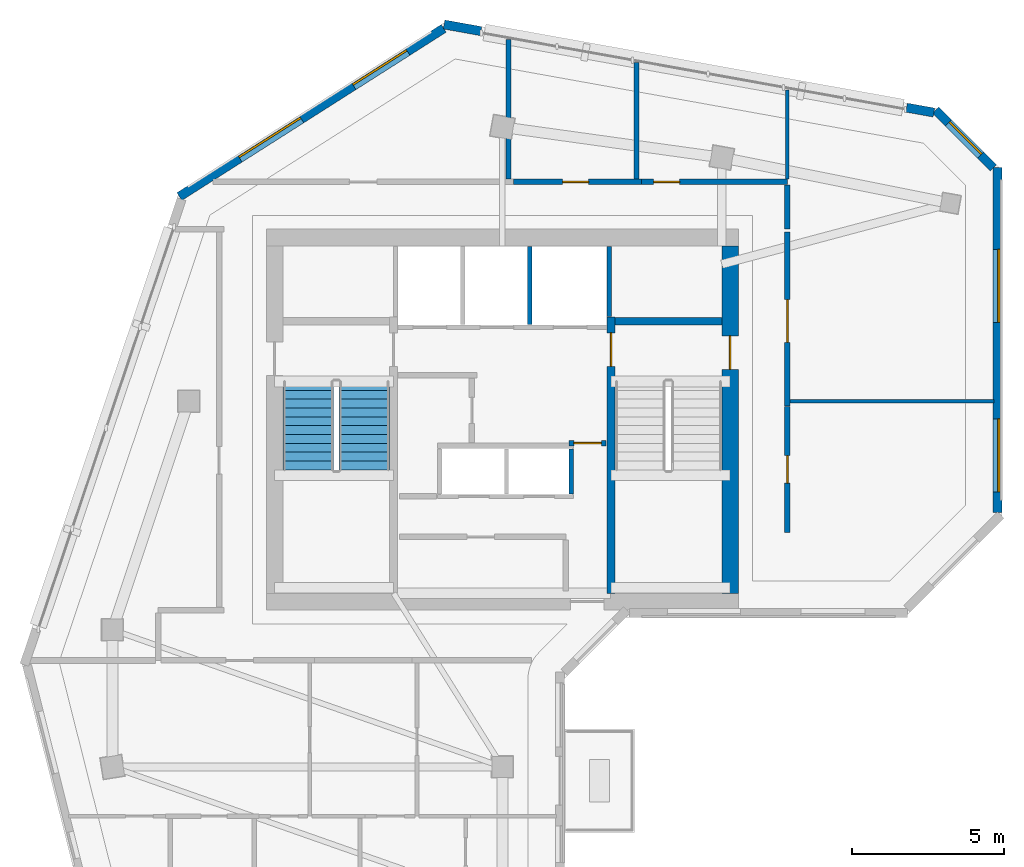
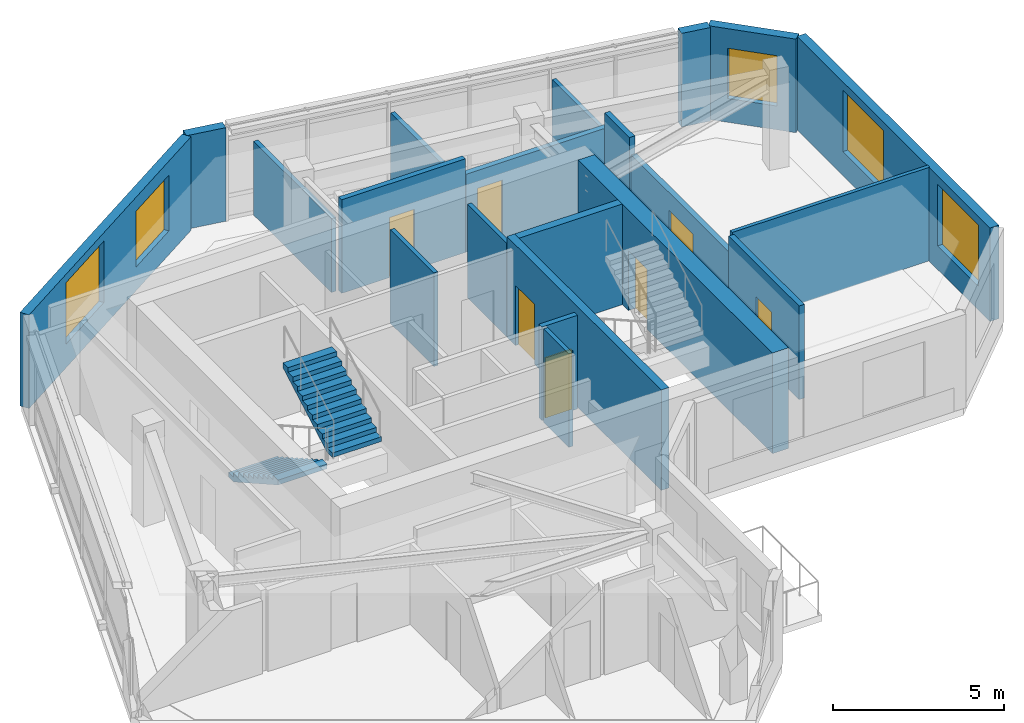
# One storey, part 5 of 8: 21 walls, 7 doors, 5 windows, 2 stair flights, 12 openings, 1 element without a shape of its own.
"""IFC4 building model written with IfcOpenShell, lengths in metres."""

from ifc_helpers import new_model, si_unit, direction, frame, frame_2d, origin, place, context, subcontext, project, spatial, polyline, rectangle, outline, extrude, source, transform, mapped, material, layer, layer_set, type_object, element, fill, aggregate, save


model = new_model("IFC4")

# Units and contexts
model_context = context("Model", 3, precision=1e-05, world=origin(), true_north=direction((0.0, 1.0)))
body_context = subcontext(model_context, "Body", "Model", "MODEL_VIEW")
ifc_project = project(units=[si_unit("LENGTHUNIT", "METRE"), si_unit("AREAUNIT", "SQUARE_METRE"), si_unit("VOLUMEUNIT", "CUBIC_METRE"), si_unit("PLANEANGLEUNIT", "RADIAN"), si_unit("MASSUNIT", "GRAM", prefix="KILO")], contexts=[model_context])

# Site, building, storey
site_placement = place(None, origin())
site = spatial("IfcSite", under=ifc_project, at=site_placement, CompositionType="ELEMENT")
building_placement = place(site_placement, origin())
building = spatial("IfcBuilding", under=site, at=building_placement, Name="Calvemar Wedge Station Tower", CompositionType="ELEMENT")
storey_placement = place(building_placement, frame((0.0, 0.0, 281.699951171875)))
storey = spatial("IfcBuildingStorey", under=building, at=storey_placement, Name="L72", CompositionType="ELEMENT", Elevation=281.699951171875)

# Wall, opening, door
ifc_material_1 = material(Name="Concrete C50", Category="concrete")
ifc_layer_1 = layer(ifc_material_1, 0.260009765625)
ifc_layer_set_1 = layer_set([ifc_layer_1], Name="Concrete C50")
wall_type_1 = type_object("IfcWallType", Name="SW-CORE-260", PredefinedType="SHEAR", material=ifc_layer_set_1)
wall_1_placement = place(storey_placement, frame((27.3701171875, 34.199951171875, 0.0), z_axis=(0.0, 0.0, 1.0), x_axis=(0.0, 1.0, 0.0)))
wall_1 = element("IfcWall", 1, at=wall_1_placement, inside=storey, type_object=wall_type_1, Name="Storey L72 Core Shear Wall SPINE-E", PredefinedType="SHEAR", context=body_context, shape_type="SweptSolid", body=[
    extrude(rectangle(XDim=9.06005859375, YDim=0.260009765625, at=frame_2d((4.530029296875, 0.0))), origin(), (0.0, 0.0, 1.0), 3.60009765625),
])
shared_shape_1 = source(origin(), body_context, "Body", "SweptSolid", [
    extrude(rectangle(XDim=1.10009765625, YDim=2.14990234375, at=frame_2d((0.550048828125, 1.074951171875))), frame((0.0, 0.14013671875, 0.0), z_axis=(0.0, -1.0, 0.0), x_axis=(1.0, 0.0, 0.0)), (0.0, 0.0, 1.0), 0.280029296875),
])
opening_1_placement = place(wall_1_placement, frame((7.449951171875, 0.0, 0.0)))
opening_1 = element("IfcOpeningElement", 2, at=opening_1_placement, cuts=wall_1, Name="Opening FD-90", PredefinedType="OPENING", context=body_context, shape_type="MappedRepresentation", body=[
    mapped(shared_shape_1, transform((0.0, 0.0, 0.0), scale=1.0)),
])
ifc_material_2 = material(Name="Galvanized fire-rated steel door leaf P-90", Category="steel")
door_type_1 = type_object("IfcDoorType", Name="DR-FD90-1100", OperationType="NOTDEFINED", PredefinedType="DOOR", material=ifc_material_2)
shared_shape_2 = source(origin(), body_context, "Body", "SweptSolid", [
    extrude(rectangle(XDim=1.10009765625, YDim=2.14990234375, at=frame_2d((0.550048828125, 1.074951171875))), frame((0.0, 0.02490234375, 0.0), z_axis=(0.0, -1.0, 0.0), x_axis=(1.0, 0.0, 0.0)), (0.0, 0.0, 1.0), 0.050048828125),
])
door_1_placement = place(opening_1_placement, origin())
door_1 = element("IfcDoor", 3, at=door_1_placement, inside=storey, type_object=door_type_1, Name="L72 FF Lobby to Stair ST-C2 Door", OperationType="SINGLE_SWING_LEFT", OverallHeight=2.14990234375, OverallWidth=1.10009765625, PredefinedType="DOOR", context=body_context, shape_type="MappedRepresentation", body=[
    mapped(shared_shape_2, transform((0.0, 0.0, 0.0), scale=1.0)),
])
fill(opening_1, door_1)

# Wall
wall_2_placement = place(storey_placement, frame((27.5, 43.1298828125, 0.0), z_axis=(0.0, 0.0, 1.0), x_axis=(1.0, 0.0, 0.0)))
element("IfcWall", 4, at=wall_2_placement, inside=storey, type_object=wall_type_1, Name="Storey L72 Core Shear Wall STC2-N", PredefinedType="SHEAR", context=body_context, shape_type="SweptSolid", body=[
    extrude(rectangle(XDim=3.5, YDim=0.260009765625, at=frame_2d((1.75, 0.0))), origin(), (0.0, 0.0, 1.0), 3.60009765625),
])

# Wall, opening, door
ifc_material_3 = material(Name="Concrete C60", Category="concrete")
ifc_layer_2 = layer(ifc_material_3, 0.550048828125)
ifc_layer_set_2 = layer_set([ifc_layer_2], Name="Concrete C60")
wall_type_2 = type_object("IfcWallType", Name="SW-CORE-550", PredefinedType="SHEAR", material=ifc_layer_set_2)
wall_3_placement = place(storey_placement, frame((31.27490234375, 34.199951171875, 0.0), z_axis=(0.0, 0.0, 1.0), x_axis=(0.0, 1.0, 0.0)))
wall_3 = element("IfcWall", 5, at=wall_3_placement, inside=storey, type_object=wall_type_2, Name="Storey L72 Core Shear Wall E", PredefinedType="SHEAR", context=body_context, shape_type="SweptSolid", body=[
    extrude(rectangle(XDim=11.400146484375, YDim=0.550048828125, at=frame_2d((5.7001953125, 0.0))), origin(), (0.0, 0.0, 1.0), 3.60009765625),
])
shared_shape_3 = source(origin(), body_context, "Body", "SweptSolid", [
    extrude(rectangle(XDim=1.10009765625, YDim=2.14990234375, at=frame_2d((0.550048828125, 1.074951171875))), frame((0.0, 0.28515625, 0.0), z_axis=(0.0, -1.0, 0.0), x_axis=(1.0, 0.0, 0.0)), (0.0, 0.0, 1.0), 0.570068359375),
])
opening_2_placement = place(wall_3_placement, frame((7.35009765625, 0.0, 0.0)))
opening_2 = element("IfcOpeningElement", 6, at=opening_2_placement, cuts=wall_3, Name="Opening FD-90", PredefinedType="OPENING", context=body_context, shape_type="MappedRepresentation", body=[
    mapped(shared_shape_3, transform((0.0, 0.0, 0.0), scale=1.0)),
])
door_2_placement = place(opening_2_placement, origin())
door_2 = element("IfcDoor", 7, at=door_2_placement, inside=storey, type_object=door_type_1, Name="L72 East Corridor to Exit Stair ST-C2 Door", OperationType="SINGLE_SWING_LEFT", OverallHeight=2.14990234375, OverallWidth=1.10009765625, PredefinedType="DOOR", context=body_context, shape_type="MappedRepresentation", body=[
    mapped(shared_shape_2, transform((0.0, 0.0, 0.0), scale=1.0)),
])
fill(opening_2, door_2)

ifc_material_4 = material(Name="Double-stud fire-rated corridor partition")
ifc_layer_3 = layer(ifc_material_4, 0.179931640625)
ifc_layer_set_3 = layer_set([ifc_layer_3], Name="Double-stud fire-rated corridor partition")
wall_type_3 = type_object("IfcWallType", Name="W-CORR-180", PredefinedType="PARTITIONING", material=ifc_layer_set_3)
wall_4_placement = place(storey_placement, frame((27.199951171875, 39.1298828125, 0.0), z_axis=(0.0, 0.0, 1.0), x_axis=(-1.0, 0.0, 0.0)))
wall_4 = element("IfcWall", 8, at=wall_4_placement, inside=storey, type_object=wall_type_3, Name="Storey L72 Interior Partition WL-L72-004", PredefinedType="PARTITIONING", context=body_context, shape_type="SweptSolid", body=[
    extrude(rectangle(XDim=1.2099609375, YDim=0.179931640625, at=frame_2d((0.60498046875, 0.0))), origin(), (0.0, 0.0, 1.0), 3.35009765625),
])
shared_shape_4 = source(origin(), body_context, "Body", "SweptSolid", [
    extrude(rectangle(XDim=0.89990234375, YDim=2.14990234375, at=frame_2d((0.449951171875, 1.074951171875))), frame((0.0, 0.10009765625, 0.0), z_axis=(0.0, -1.0, 0.0), x_axis=(1.0, 0.0, 0.0)), (0.0, 0.0, 1.0), 0.199951171875),
])
opening_3_placement = place(wall_4_placement, frame((0.155029296875, 0.0, 0.0)))
opening_3 = element("IfcOpeningElement", 9, at=opening_3_placement, cuts=wall_4, Name="Opening FD-60", PredefinedType="OPENING", context=body_context, shape_type="MappedRepresentation", body=[
    mapped(shared_shape_4, transform((0.0, 0.0, 0.0), scale=1.0)),
])
ifc_material_5 = material(Name="Fire-rated acoustic timber-core entrance door EI 60", Category="wood")
door_type_2 = type_object("IfcDoorType", Name="DR-FD60-900", OperationType="NOTDEFINED", PredefinedType="DOOR", material=ifc_material_5)
shared_shape_5 = source(origin(), body_context, "Body", "SweptSolid", [
    extrude(rectangle(XDim=0.89990234375, YDim=2.14990234375, at=frame_2d((0.449951171875, 1.074951171875))), frame((0.0, 0.02490234375, 0.0), z_axis=(0.0, -1.0, 0.0), x_axis=(1.0, 0.0, 0.0)), (0.0, 0.0, 1.0), 0.050048828125),
])
door_3_placement = place(opening_3_placement, origin())
door_3 = element("IfcDoor", 10, at=door_3_placement, inside=storey, type_object=door_type_2, Name="L72 Core Service Lobby Door", OperationType="SINGLE_SWING_RIGHT", OverallHeight=2.14990234375, OverallWidth=0.89990234375, PredefinedType="DOOR", context=body_context, shape_type="MappedRepresentation", body=[
    mapped(shared_shape_5, transform((0.0, 0.0, 0.0), scale=1.0)),
])
fill(opening_3, door_3)

wall_5_placement = place(storey_placement, frame((24.162109375, 47.699951171875, 0.0), z_axis=(0.0, 0.0, 1.0), x_axis=(1.0, 0.0, 0.0)))
wall_5 = element("IfcWall", 11, at=wall_5_placement, inside=storey, type_object=wall_type_3, Name="Storey L72 Interior Partition WL-L72-015", PredefinedType="PARTITIONING", context=body_context, shape_type="SweptSolid", body=[
    extrude(rectangle(XDim=4.197998046875, YDim=0.179931640625, at=frame_2d((2.09912109375, 0.0))), origin(), (0.0, 0.0, 1.0), 3.35009765625),
])
shared_shape_6 = source(origin(), body_context, "Body", "SweptSolid", [
    extrude(rectangle(XDim=0.85009765625, YDim=2.14990234375, at=frame_2d((0.425048828125, 1.074951171875))), frame((0.0, 0.10009765625, 0.0), z_axis=(0.0, -1.0, 0.0), x_axis=(1.0, 0.0, 0.0)), (0.0, 0.0, 1.0), 0.199951171875),
])
opening_4_placement = place(wall_5_placement, frame((1.61328125, 0.0, 0.0)))
opening_4 = element("IfcOpeningElement", 12, at=opening_4_placement, cuts=wall_5, Name="Opening D-02", PredefinedType="OPENING", context=body_context, shape_type="MappedRepresentation", body=[
    mapped(shared_shape_6, transform((0.0, 0.0, 0.0), scale=1.0)),
])
ifc_material_6 = material(Name="Moisture-sealed bathroom hardwood swing door", Category="wood")
door_type_3 = type_object("IfcDoorType", Name="DR-WET-850", OperationType="NOTDEFINED", PredefinedType="DOOR", material=ifc_material_6)
shared_shape_7 = source(origin(), body_context, "Body", "SweptSolid", [
    extrude(rectangle(XDim=0.85009765625, YDim=2.14990234375, at=frame_2d((0.425048828125, 1.074951171875))), frame((0.0, 0.02490234375, 0.0), z_axis=(0.0, -1.0, 0.0), x_axis=(1.0, 0.0, 0.0)), (0.0, 0.0, 1.0), 0.050048828125),
])
door_4_placement = place(opening_4_placement, origin())
door_4 = element("IfcDoor", 13, at=door_4_placement, inside=storey, type_object=door_type_3, Name="L72 Accessible WC Door", OperationType="SINGLE_SWING_RIGHT", OverallHeight=2.14990234375, OverallWidth=0.85009765625, PredefinedType="DOOR", context=body_context, shape_type="MappedRepresentation", body=[
    mapped(shared_shape_7, transform((0.0, 0.0, 0.0), scale=1.0)),
])
fill(opening_4, door_4)

wall_6_placement = place(storey_placement, frame((28.362060546875, 47.699951171875, 0.0), z_axis=(0.0, 0.0, 1.0), x_axis=(1.0, 0.0, 0.0)))
wall_6 = element("IfcWall", 14, at=wall_6_placement, inside=storey, type_object=wall_type_3, Name="Storey L72 Interior Partition WL-L72-016", PredefinedType="PARTITIONING", context=body_context, shape_type="SweptSolid", body=[
    extrude(rectangle(XDim=4.787841796875, YDim=0.179931640625, at=frame_2d((2.39404296875, 0.0))), origin(), (0.0, 0.0, 1.0), 2.7880859375),
])
opening_5_placement = place(wall_6_placement, frame((0.400634765625, 0.0, 0.0)))
opening_5 = element("IfcOpeningElement", 15, at=opening_5_placement, cuts=wall_6, Name="Opening D-02", PredefinedType="OPENING", context=body_context, shape_type="MappedRepresentation", body=[
    mapped(shared_shape_6, transform((0.0, 0.0, 0.0), scale=1.0)),
])
door_5_placement = place(opening_5_placement, origin())
door_5 = element("IfcDoor", 16, at=door_5_placement, inside=storey, type_object=door_type_3, Name="L72 Storage Room Door", OperationType="SINGLE_SWING_LEFT", OverallHeight=2.14990234375, OverallWidth=0.85009765625, PredefinedType="DOOR", context=body_context, shape_type="MappedRepresentation", body=[
    mapped(shared_shape_7, transform((0.0, 0.0, 0.0), scale=1.0)),
])
fill(opening_5, door_5)

# Wall
wall_7_placement = place(storey_placement, frame((33.14990234375, 47.60595703125, 0.0), z_axis=(0.0, 0.0, 1.0), x_axis=(0.0, -1.0, 0.0)))
element("IfcWall", 17, at=wall_7_placement, inside=storey, type_object=wall_type_3, Name="Storey L72 Interior Partition WL-L72-017", PredefinedType="PARTITIONING", context=body_context, shape_type="SweptSolid", body=[
    extrude(rectangle(XDim=1.4560546875, YDim=0.179931640625, at=frame_2d((0.72802734375, 0.0))), origin(), (0.0, 0.0, 1.0), 3.35009765625),
])

# Wall, opening, door
wall_8_placement = place(storey_placement, frame((33.14990234375, 46.055908203125, 0.0), z_axis=(0.0, 0.0, 1.0), x_axis=(0.0, -1.0, 0.0)))
wall_8 = element("IfcWall", 18, at=wall_8_placement, inside=storey, type_object=wall_type_3, Name="Storey L72 Interior Partition WL-L72-018", PredefinedType="PARTITIONING", context=body_context, shape_type="SweptSolid", body=[
    extrude(rectangle(XDim=5.7158203125, YDim=0.179931640625, at=frame_2d((2.85791015625, 0.0))), origin(), (0.0, 0.0, 1.0), 2.7880859375),
])
shared_shape_8 = source(origin(), body_context, "Body", "SweptSolid", [
    extrude(rectangle(XDim=1.39990234375, YDim=2.14990234375, at=frame_2d((0.699951171875, 1.074951171875))), frame((0.0, 0.10009765625, 0.0), z_axis=(0.0, -1.0, 0.0), x_axis=(1.0, 0.0, 0.0)), (0.0, 0.0, 1.0), 0.199951171875),
])
opening_6_placement = place(wall_8_placement, frame((2.218505859375, 0.0, 0.0)))
opening_6 = element("IfcOpeningElement", 19, at=opening_6_placement, cuts=wall_8, Name="Opening DD-140", PredefinedType="OPENING", context=body_context, shape_type="MappedRepresentation", body=[
    mapped(shared_shape_8, transform((0.0, 0.0, 0.0), scale=1.0)),
])
ifc_material_7 = material(Name="Double-leaf corridor acoustic fire door EI 60")
door_type_4 = type_object("IfcDoorType", Name="DR-DBL-1400", OperationType="DOUBLE_DOOR_SINGLE_SWING", PredefinedType="DOOR", material=ifc_material_7)
shared_shape_9 = source(origin(), body_context, "Body", "SweptSolid", [
    extrude(rectangle(XDim=1.39990234375, YDim=2.14990234375, at=frame_2d((0.699951171875, 1.074951171875))), frame((0.0, 0.02490234375, 0.0), z_axis=(0.0, -1.0, 0.0), x_axis=(1.0, 0.0, 0.0)), (0.0, 0.0, 1.0), 0.050048828125),
])
door_6_placement = place(opening_6_placement, origin())
door_6 = element("IfcDoor", 20, at=door_6_placement, inside=storey, type_object=door_type_4, Name="L72 Observatory Wellness Lounge Door", OperationType="SINGLE_SWING_RIGHT", OverallHeight=2.14990234375, OverallWidth=1.39990234375, PredefinedType="DOOR", context=body_context, shape_type="MappedRepresentation", body=[
    mapped(shared_shape_9, transform((0.0, 0.0, 0.0), scale=1.0)),
])
fill(opening_6, door_6)

wall_9_placement = place(storey_placement, frame((33.14990234375, 40.337890625, 0.0), z_axis=(0.0, 0.0, 1.0), x_axis=(0.0, -1.0, 0.0)))
wall_9 = element("IfcWall", 21, at=wall_9_placement, inside=storey, type_object=wall_type_3, Name="Storey L72 Interior Partition WL-L72-019", PredefinedType="PARTITIONING", context=body_context, shape_type="SweptSolid", body=[
    extrude(rectangle(XDim=4.137939453125, YDim=0.179931640625, at=frame_2d((2.06884765625, 0.0))), origin(), (0.0, 0.0, 1.0), 3.35009765625),
])
opening_7_placement = place(wall_9_placement, frame((1.618896484375, 0.0, 0.0)))
opening_7 = element("IfcOpeningElement", 22, at=opening_7_placement, cuts=wall_9, Name="Opening D-01", PredefinedType="OPENING", context=body_context, shape_type="MappedRepresentation", body=[
    mapped(shared_shape_4, transform((0.0, 0.0, 0.0), scale=1.0)),
])
ifc_material_8 = material(Name="Architectural hardwood acoustic swing door", Category="wood")
door_type_5 = type_object("IfcDoorType", Name="DR-INT-900", OperationType="NOTDEFINED", PredefinedType="DOOR", material=ifc_material_8)
shared_shape_10 = source(origin(), body_context, "Body", "SweptSolid", [
    extrude(rectangle(XDim=0.89990234375, YDim=2.14990234375, at=frame_2d((0.449951171875, 1.074951171875))), frame((0.0, 0.02490234375, 0.0), z_axis=(0.0, -1.0, 0.0), x_axis=(1.0, 0.0, 0.0)), (0.0, 0.0, 1.0), 0.050048828125),
])
door_7_placement = place(opening_7_placement, origin())
door_7 = element("IfcDoor", 23, at=door_7_placement, inside=storey, type_object=door_type_5, Name="L72 Executive Boardroom Door", OperationType="SINGLE_SWING_LEFT", OverallHeight=2.14990234375, OverallWidth=0.89990234375, PredefinedType="DOOR", context=body_context, shape_type="MappedRepresentation", body=[
    mapped(shared_shape_10, transform((0.0, 0.0, 0.0), scale=1.0)),
])
fill(opening_7, door_7)

# Wall, openings, windows
ifc_material_9 = material(Name="Precast concrete C45", Category="concrete")
ifc_layer_4 = layer(ifc_material_9, 0.300048828125)
ifc_layer_set_4 = layer_set([ifc_layer_4], Name="Precast concrete C45")
wall_type_4 = type_object("IfcWallType", Name="W-EXT-GFRC-300", PredefinedType="SOLIDWALL", material=ifc_layer_set_4)
wall_10_placement = place(storey_placement, frame((40.050048828125, 36.857421875, 0.0), z_axis=(0.0, 0.0, 1.0), x_axis=(0.0, 1.0, 0.0)))
wall_10 = element("IfcWall", 24, at=wall_10_placement, inside=storey, type_object=wall_type_4, Name="Storey L72 Bronze GFRC Exterior Wall 8", PredefinedType="SOLIDWALL", context=body_context, shape_type="SweptSolid", body=[
    extrude(rectangle(XDim=11.318359375, YDim=0.300048828125, at=frame_2d((5.6591796875, 0.0))), origin(), (0.0, 0.0, 1.0), 3.35009765625),
])
shared_shape_11 = source(origin(), body_context, "Body", "SweptSolid", [
    extrude(rectangle(XDim=2.39990234375, YDim=2.199951171875, at=frame_2d((1.199951171875, 1.10009765625))), frame((0.0, 0.16015625, 0.0), z_axis=(0.0, -1.0, 0.0), x_axis=(1.0, 0.0, 0.0)), (0.0, 0.0, 1.0), 0.320068359375),
])
opening_8_placement = place(wall_10_placement, frame((0.6708984375, 0.0, 0.85009765625)))
opening_8 = element("IfcOpeningElement", 25, at=opening_8_placement, cuts=wall_10, Name="Opening W1", PredefinedType="OPENING", context=body_context, shape_type="MappedRepresentation", body=[
    mapped(shared_shape_11, transform((0.0, 0.0, 0.0), scale=1.0)),
])
opening_9_placement = place(wall_10_placement, frame((6.23095703125, 0.0, 0.85009765625)))
opening_9 = element("IfcOpeningElement", 26, at=opening_9_placement, cuts=wall_10, Name="Opening W1", PredefinedType="OPENING", context=body_context, shape_type="MappedRepresentation", body=[
    mapped(shared_shape_11, transform((0.0, 0.0, 0.0), scale=1.0)),
])
ifc_material_10 = material(Name="Low-E laminated insulated glass", Category="glass")
window_type_1 = type_object("IfcWindowType", Name="WIN-EXT-1", PartitioningType="SINGLE_PANEL", PredefinedType="WINDOW", material=ifc_material_10)
shared_shape_12 = source(origin(), body_context, "Body", "SweptSolid", [
    extrude(rectangle(XDim=2.39990234375, YDim=2.199951171875, at=frame_2d((1.199951171875, 1.10009765625))), frame((0.0, -0.014892578125, 0.0), z_axis=(0.0, -1.0, 0.0), x_axis=(1.0, 0.0, 0.0)), (0.0, 0.0, 1.0), 0.06005859375),
])
window_1_placement = place(opening_8_placement, origin())
window_1 = element("IfcWindow", 27, at=window_1_placement, inside=storey, type_object=window_type_1, Name="Storey L72 Recessed Window 8.1", OverallHeight=2.199951171875, OverallWidth=2.39990234375, PartitioningType="SINGLE_PANEL", PredefinedType="WINDOW", context=body_context, shape_type="MappedRepresentation", body=[
    mapped(shared_shape_12, transform((0.0, 0.0, 0.0), scale=1.0)),
])
fill(opening_8, window_1)
window_2_placement = place(opening_9_placement, origin())
window_2 = element("IfcWindow", 28, at=window_2_placement, inside=storey, type_object=window_type_1, Name="Storey L72 Recessed Window 8.2", OverallHeight=2.199951171875, OverallWidth=2.39990234375, PartitioningType="SINGLE_PANEL", PredefinedType="WINDOW", context=body_context, shape_type="MappedRepresentation", body=[
    mapped(shared_shape_12, transform((0.0, 0.0, 0.0), scale=1.0)),
])
fill(opening_9, window_2)

# Wall, opening, window
wall_11_placement = place(storey_placement, frame((39.912109375, 48.163818359375, 0.0), z_axis=(0.0, 0.0, 1.0), x_axis=(-0.70715242601, 0.707061133417, 0.0)))
wall_11 = element("IfcWall", 29, at=wall_11_placement, inside=storey, type_object=wall_type_4, Name="Storey L72 Bronze GFRC Exterior Wall 9", PredefinedType="SOLIDWALL", context=body_context, shape_type="SweptSolid", body=[
    extrude(rectangle(XDim=2.67431640625, YDim=0.300048828125, at=frame_2d((1.337158203125, 0.0))), origin(), (0.0, 0.0, 1.0), 3.35009765625),
])
shared_shape_13 = source(origin(), body_context, "Body", "SweptSolid", [
    extrude(rectangle(XDim=1.5, YDim=1.800048828125, at=frame_2d((0.75, 0.89990234375))), frame((0.0, 0.16015625, 0.0), z_axis=(0.0, -1.0, 0.0), x_axis=(1.0, 0.0, 0.0)), (0.0, 0.0, 1.0), 0.320068359375),
])
opening_10_placement = place(wall_11_placement, frame((0.5869140625, 0.0, 0.85009765625)))
opening_10 = element("IfcOpeningElement", 30, at=opening_10_placement, cuts=wall_11, Name="Opening W3", PredefinedType="OPENING", context=body_context, shape_type="MappedRepresentation", body=[
    mapped(shared_shape_13, transform((0.0, 0.0, 0.0), scale=1.0)),
])
window_type_2 = type_object("IfcWindowType", Name="WIN-EXT-3", PartitioningType="SINGLE_PANEL", PredefinedType="WINDOW", material=ifc_material_10)
shared_shape_14 = source(origin(), body_context, "Body", "SweptSolid", [
    extrude(rectangle(XDim=1.5, YDim=1.800048828125, at=frame_2d((0.75, 0.89990234375))), frame((0.0, -0.014892578125, 0.0), z_axis=(0.0, -1.0, 0.0), x_axis=(1.0, 0.0, 0.0)), (0.0, 0.0, 1.0), 0.06005859375),
])
window_3_placement = place(opening_10_placement, origin())
window_3 = element("IfcWindow", 31, at=window_3_placement, inside=storey, type_object=window_type_2, Name="Storey L72 Recessed Window 9.1", OverallHeight=1.800048828125, OverallWidth=1.5, PartitioningType="SINGLE_PANEL", PredefinedType="WINDOW", context=body_context, shape_type="MappedRepresentation", body=[
    mapped(shared_shape_14, transform((0.0, 0.0, 0.0), scale=1.0)),
])
fill(opening_10, window_3)

# Walls
wall_12_placement = place(storey_placement, frame((37.961669921875, 49.978515625, 0.0), z_axis=(0.0, 0.0, 1.0), x_axis=(-0.984215051171, 0.176976645491, 0.0)))
element("IfcWall", 32, at=wall_12_placement, inside=storey, type_object=wall_type_4, Name="Storey L72 Bronze GFRC Corner Pier 10A", PredefinedType="SOLIDWALL", context=body_context, shape_type="SweptSolid", body=[
    extrude(rectangle(XDim=0.911865234375, YDim=0.300048828125, at=frame_2d((0.4560546875, 0.0))), origin(), (0.0, 0.0, 1.0), 3.35009765625),
])
wall_13_placement = place(storey_placement, frame((23.093994140625, 52.65087890625, 0.0), z_axis=(0.0, 0.0, 1.0), x_axis=(-0.984233125072, 0.176876102146, 0.0)))
element("IfcWall", 33, at=wall_13_placement, inside=storey, type_object=wall_type_4, Name="Storey L72 Bronze GFRC Corner Pier 10B", PredefinedType="SOLIDWALL", context=body_context, shape_type="SweptSolid", body=[
    extrude(rectangle(XDim=1.229736328125, YDim=0.300048828125, at=frame_2d((0.61474609375, 0.0))), origin(), (0.0, 0.0, 1.0), 3.35009765625),
])

# Wall, openings, windows
wall_14_placement = place(storey_placement, frame((21.872802734375, 52.7412109375, 0.0), z_axis=(0.0, 0.0, 1.0), x_axis=(-0.843661487732, -0.536875492193, 0.0)))
wall_14 = element("IfcWall", 34, at=wall_14_placement, inside=storey, type_object=wall_type_4, Name="Storey L72 Bronze GFRC Exterior Wall 11", PredefinedType="SOLIDWALL", context=body_context, shape_type="SweptSolid", body=[
    extrude(rectangle(XDim=10.28173828125, YDim=0.300048828125, at=frame_2d((5.140869140625, 0.0))), origin(), (0.0, 0.0, 1.0), 3.35009765625),
])
shared_shape_15 = source(origin(), body_context, "Body", "SweptSolid", [
    extrude(rectangle(XDim=2.10009765625, YDim=2.0, at=frame_2d((1.050048828125, 1.0))), frame((0.0, 0.16015625, 0.0), z_axis=(0.0, -1.0, 0.0), x_axis=(1.0, 0.0, 0.0)), (0.0, 0.0, 1.0), 0.320068359375),
])
opening_11_placement = place(wall_14_placement, frame((1.409912109375, 0.0, 0.85009765625)))
opening_11 = element("IfcOpeningElement", 35, at=opening_11_placement, cuts=wall_14, Name="Opening W4", PredefinedType="OPENING", context=body_context, shape_type="MappedRepresentation", body=[
    mapped(shared_shape_15, transform((0.0, 0.0, 0.0), scale=1.0)),
])
opening_12_placement = place(wall_14_placement, frame((5.5390625, 0.0, 0.85009765625)))
opening_12 = element("IfcOpeningElement", 36, at=opening_12_placement, cuts=wall_14, Name="Opening W1", PredefinedType="OPENING", context=body_context, shape_type="MappedRepresentation", body=[
    mapped(shared_shape_11, transform((0.0, 0.0, 0.0), scale=1.0)),
])
window_type_3 = type_object("IfcWindowType", Name="WIN-EXT-4", PartitioningType="SINGLE_PANEL", PredefinedType="WINDOW", material=ifc_material_10)
shared_shape_16 = source(origin(), body_context, "Body", "SweptSolid", [
    extrude(rectangle(XDim=2.10009765625, YDim=2.0, at=frame_2d((1.050048828125, 1.0))), frame((0.0, -0.014892578125, 0.0), z_axis=(0.0, -1.0, 0.0), x_axis=(1.0, 0.0, 0.0)), (0.0, 0.0, 1.0), 0.06005859375),
])
window_4_placement = place(opening_11_placement, origin())
window_4 = element("IfcWindow", 37, at=window_4_placement, inside=storey, type_object=window_type_3, Name="Storey L72 Recessed Window 11.1", OverallHeight=2.0, OverallWidth=2.10009765625, PartitioningType="SINGLE_PANEL", PredefinedType="WINDOW", context=body_context, shape_type="MappedRepresentation", body=[
    mapped(shared_shape_16, transform((0.0, 0.0, 0.0), scale=1.0)),
])
fill(opening_11, window_4)
window_5_placement = place(opening_12_placement, origin())
window_5 = element("IfcWindow", 38, at=window_5_placement, inside=storey, type_object=window_type_1, Name="Storey L72 Recessed Window 11.2", OverallHeight=2.199951171875, OverallWidth=2.39990234375, PartitioningType="SINGLE_PANEL", PredefinedType="WINDOW", context=body_context, shape_type="MappedRepresentation", body=[
    mapped(shared_shape_12, transform((0.0, 0.0, 0.0), scale=1.0)),
])
fill(opening_12, window_5)

# Walls
ifc_material_11 = material(Name="Reinforced concrete blockwork lift shaft wall", Category="masonry")
ifc_layer_5 = layer(ifc_material_11, 0.139892578125)
ifc_layer_set_5 = layer_set([ifc_layer_5], Name="Reinforced concrete blockwork lift shaft wall")
wall_type_5 = type_object("IfcWallType", Name="W-LIFT-160", PredefinedType="SOLIDWALL", material=ifc_layer_set_5)
wall_15_placement = place(storey_placement, frame((27.31005859375, 43.280029296875, 0.0), z_axis=(0.0, 0.0, 1.0), x_axis=(0.0, 1.0, 0.0)))
element("IfcWall", 39, at=wall_15_placement, inside=storey, type_object=wall_type_5, Name="Storey L72 Firefighting Lift Shaft Enclosure Wall E", PredefinedType="SOLIDWALL", context=body_context, shape_type="SweptSolid", body=[
    extrude(rectangle(XDim=2.300048828125, YDim=0.139892578125, at=frame_2d((1.14990234375, 0.0))), origin(), (0.0, 0.0, 1.0), 3.35009765625),
])
wall_16_placement = place(storey_placement, frame((24.699951171875, 43.02001953125, 0.0), z_axis=(0.0, 0.0, 1.0), x_axis=(0.0, 1.0, 0.0)))
element("IfcWall", 40, at=wall_16_placement, inside=storey, type_object=wall_type_5, Name="Storey L72 Firefighting Lift Shaft Enclosure Wall D2", PredefinedType="SOLIDWALL", context=body_context, shape_type="SweptSolid", body=[
    extrude(rectangle(XDim=2.56005859375, YDim=0.139892578125, at=frame_2d((1.280029296875, 0.0))), origin(), (0.0, 0.0, 1.0), 3.35009765625),
])
wall_17_placement = place(storey_placement, frame((26.06005859375, 37.4599609375, 0.0), z_axis=(0.0, 0.0, 1.0), x_axis=(0.0, 1.0, 0.0)))
element("IfcWall", 41, at=wall_17_placement, inside=storey, type_object=wall_type_5, Name="Storey L72 Upper Passenger Lift Shaft Wall E", PredefinedType="SOLIDWALL", context=body_context, shape_type="SweptSolid", body=[
    extrude(rectangle(XDim=1.47998046875, YDim=0.139892578125, at=frame_2d((0.739990234375, 0.0))), origin(), (0.0, 0.0, 1.0), 3.35009765625),
])
ifc_material_12 = material(Name="Insulated acoustic gypsum stud partition")
ifc_layer_6 = layer(ifc_material_12, 0.125)
ifc_layer_set_6 = layer_set([ifc_layer_6], Name="Insulated acoustic gypsum stud partition")
wall_type_6 = type_object("IfcWallType", Name="W-PART-125", PredefinedType="PARTITIONING", material=ifc_layer_set_6)
wall_18_placement = place(storey_placement, frame((33.14990234375, 50.7265625, 0.0), z_axis=(0.0, 0.0, 1.0), x_axis=(0.0, -1.0, 0.0)))
element("IfcWall", 42, at=wall_18_placement, inside=storey, type_object=wall_type_6, Name="Storey L72 Interior Partition WL-L72-023", PredefinedType="PARTITIONING", context=body_context, shape_type="SweptSolid", body=[
    extrude(rectangle(XDim=2.9326171875, YDim=0.125, at=frame_2d((1.46630859375, 0.0))), origin(), (0.0, 0.0, 1.0), 2.64208984375),
])
wall_19_placement = place(storey_placement, frame((39.93505859375, 40.5, 0.0), z_axis=(0.0, 0.0, 1.0), x_axis=(-1.0, 0.0, 0.0)))
element("IfcWall", 43, at=wall_19_placement, inside=storey, type_object=wall_type_6, Name="Storey L72 Interior Partition WL-L72-024", PredefinedType="PARTITIONING", context=body_context, shape_type="SweptSolid", body=[
    extrude(rectangle(XDim=6.691162109375, YDim=0.125, at=frame_2d((3.345703125, 0.0))), origin(), (0.0, 0.0, 1.0), 3.35009765625),
])
ifc_material_13 = material(Name="Moisture-resistant acoustic bathroom partition")
ifc_layer_7 = layer(ifc_material_13, 0.14990234375)
ifc_layer_set_7 = layer_set([ifc_layer_7], Name="Moisture-resistant acoustic bathroom partition")
wall_type_7 = type_object("IfcWallType", Name="W-WET-150", PredefinedType="PARTITIONING", material=ifc_layer_set_7)
wall_20_placement = place(storey_placement, frame((24.0, 52.37109375, 0.0), z_axis=(0.0, 0.0, 1.0), x_axis=(0.0, -1.0, 0.0)))
element("IfcWall", 44, at=wall_20_placement, inside=storey, type_object=wall_type_7, Name="Storey L72 Interior Partition WL-L72-021", PredefinedType="PARTITIONING", context=body_context, shape_type="SweptSolid", body=[
    extrude(rectangle(XDim=4.5771484375, YDim=0.14990234375, at=frame_2d((2.28857421875, 0.0))), origin(), (0.0, 0.0, 1.0), 2.64208984375),
])
wall_21_placement = place(storey_placement, frame((28.199951171875, 51.6162109375, 0.0), z_axis=(0.0, 0.0, 1.0), x_axis=(0.0, -1.0, 0.0)))
element("IfcWall", 45, at=wall_21_placement, inside=storey, type_object=wall_type_7, Name="Storey L72 Interior Partition WL-L72-022", PredefinedType="PARTITIONING", context=body_context, shape_type="SweptSolid", body=[
    extrude(rectangle(XDim=3.822265625, YDim=0.14990234375, at=frame_2d((1.9111328125, 0.0))), origin(), (0.0, 0.0, 1.0), 2.64208984375),
])

# Stair, stair flights
ifc_material_14 = material(Name="Concrete C45", Category="concrete")
stair_type = type_object("IfcStairType", Name="ST-TYPE-3600", PredefinedType="HALF_TURN_STAIR", material=ifc_material_14)
stair_placement = place(storey_placement, origin())
stair = element("IfcStair", 46, at=stair_placement, inside=storey, type_object=stair_type, Name="L72 Pressurized Core Exit Stair ST-C1", PredefinedType="HALF_TURN_STAIR")
stair_flight_type = type_object("IfcStairFlightType", Name="STF-TYPE-3600", PredefinedType="STRAIGHT", material=ifc_material_14)
stair_flight_1_placement = place(storey_placement, frame((17.429931640625, 41.14990234375, 0.0), z_axis=(0.0, 0.0, 1.0), x_axis=(0.0, -1.0, 0.0)))
stair_flight_1 = element("IfcStairFlight", 47, at=stair_flight_1_placement, type_object=stair_flight_type, Name="ST-C1 flight 1", NumberOfRisers=11, NumberOfTreads=10, PredefinedType="STRAIGHT", RiserHeight=0.163636364, TreadLength=0.29, context=body_context, shape_type="SweptSolid", body=[
    extrude(outline(polyline([(0.0, 0.0), (0.0, 0.16357421875), (0.2900390625, 0.16357421875), (0.2900390625, 0.327392578125), (0.580078125, 0.327392578125), (0.580078125, 0.490966796875), (0.8701171875, 0.490966796875), (0.8701171875, 0.654541015625), (1.159912109375, 0.654541015625), (1.159912109375, 0.818115234375), (1.449951171875, 0.818115234375), (1.449951171875, 0.98193359375), (1.739990234375, 0.98193359375), (1.739990234375, 1.1455078125), (2.030029296875, 1.1455078125), (2.030029296875, 1.30908203125), (2.320068359375, 1.30908203125), (2.320068359375, 1.47265625), (2.610107421875, 1.47265625), (2.610107421875, 1.636474609375), (2.89990234375, 1.636474609375), (2.89990234375, 1.800048828125), (2.89990234375, 1.46435546875), (0.304931640625, 0.0), (0.0, 0.0)])), frame((0.0, 0.830078125, 0.0), z_axis=(0.0, -1.0, 0.0), x_axis=(1.0, 0.0, 0.0)), (0.0, 0.0, 1.0), 1.659912109375),
])
stair_flight_2_placement = place(storey_placement, frame((19.27001953125, 38.25, 1.800048828125), z_axis=(0.0, 0.0, 1.0), x_axis=(0.0, 1.0, 0.0)))
stair_flight_2 = element("IfcStairFlight", 48, at=stair_flight_2_placement, type_object=stair_flight_type, Name="ST-C1 flight 2", NumberOfRisers=11, NumberOfTreads=10, PredefinedType="STRAIGHT", RiserHeight=0.163636364, TreadLength=0.29, context=body_context, shape_type="SweptSolid", body=[
    extrude(outline(polyline([(0.0, 0.0), (0.0, 0.16357421875), (0.2900390625, 0.16357421875), (0.2900390625, 0.327392578125), (0.580078125, 0.327392578125), (0.580078125, 0.490966796875), (0.8701171875, 0.490966796875), (0.8701171875, 0.654541015625), (1.159912109375, 0.654541015625), (1.159912109375, 0.818115234375), (1.449951171875, 0.818115234375), (1.449951171875, 0.98193359375), (1.739990234375, 0.98193359375), (1.739990234375, 1.1455078125), (2.030029296875, 1.1455078125), (2.030029296875, 1.30908203125), (2.320068359375, 1.30908203125), (2.320068359375, 1.47265625), (2.610107421875, 1.47265625), (2.610107421875, 1.636474609375), (2.89990234375, 1.636474609375), (2.89990234375, 1.800048828125), (2.89990234375, 1.46435546875), (0.304931640625, 0.0), (0.0, 0.0)])), frame((0.0, 0.830078125, 0.0), z_axis=(0.0, -1.0, 0.0), x_axis=(1.0, 0.0, 0.0)), (0.0, 0.0, 1.0), 1.659912109375),
])
aggregate(stair, [stair_flight_1, stair_flight_2])

save(model, "model.ifc")
